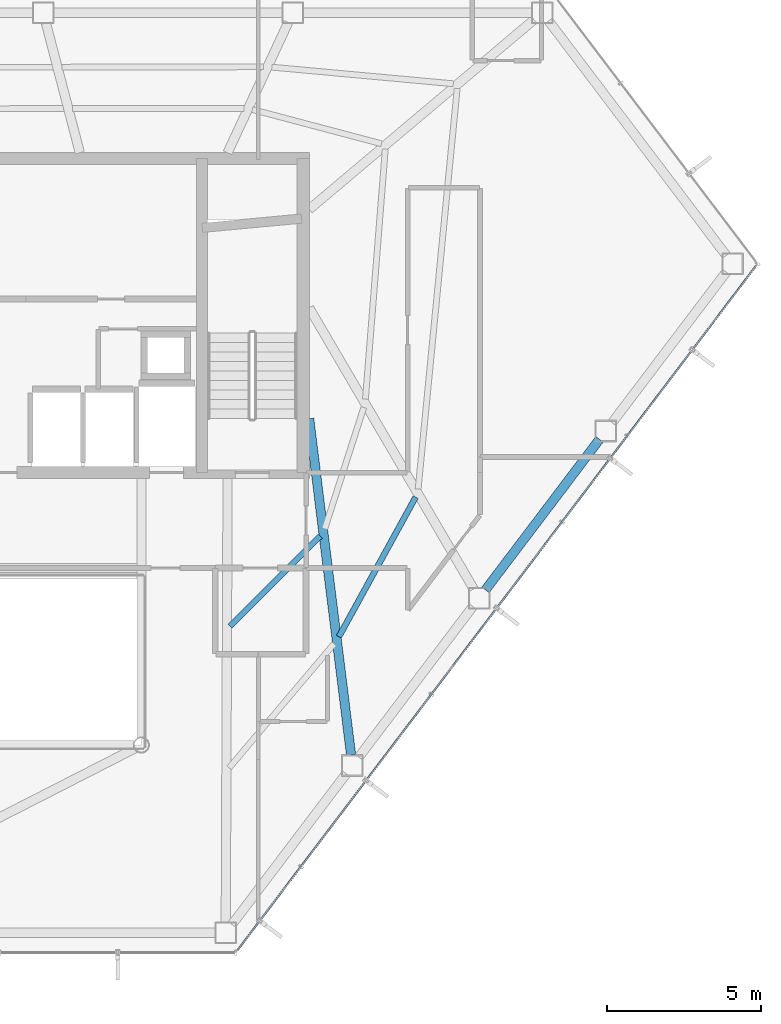
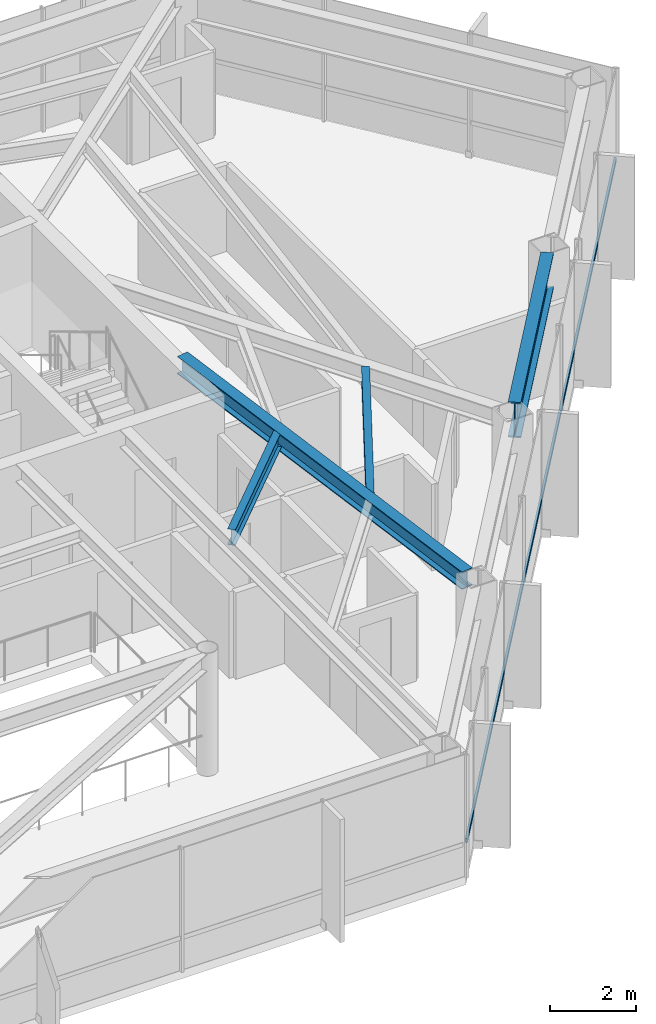
# One storey, part 18 of 28: 4 beams, 1 member, 1 element without a shape of its own.
"""IFC4 building model written with IfcOpenShell, lengths in metres."""

from ifc_helpers import new_model, si_unit, direction, frame, origin, origin_2d, place, context, subcontext, project, spatial, hollow_rectangle, i_section, extrude, material, layer, layer_set, material_profile, profile_set, type_object, element, aggregate, save


model = new_model("IFC4")

# Units and contexts
model_context = context("Model", 3, precision=1e-05, world=origin(), true_north=direction((0.0, 1.0)))
body_context = subcontext(model_context, "Body", "Model", "MODEL_VIEW")
ifc_project = project(units=[si_unit("LENGTHUNIT", "METRE"), si_unit("AREAUNIT", "SQUARE_METRE"), si_unit("VOLUMEUNIT", "CUBIC_METRE"), si_unit("PLANEANGLEUNIT", "RADIAN"), si_unit("MASSUNIT", "GRAM", prefix="KILO")], contexts=[model_context])

# Site, building, storey
site_placement = place(None, origin())
site = spatial("IfcSite", under=ifc_project, at=site_placement, CompositionType="ELEMENT")
building_placement = place(site_placement, origin())
building = spatial("IfcBuilding", under=site, at=building_placement, Name="Zarrinselat Tower", CompositionType="ELEMENT")
storey_placement = place(building_placement, frame((0.0, 0.0, 168.300048828125)))
storey = spatial("IfcBuildingStorey", under=building, at=storey_placement, Name="L41", CompositionType="ELEMENT", Elevation=168.300048828125)

# Beams
ifc_material_1 = material(Name="Steel S355J2", Category="steel")
ifc_material_profile_1 = material_profile(ifc_material_1, i_section(OverallWidth=0.300048828125, OverallDepth=0.5, WebThickness=0.014404296875, FlangeThickness=0.028076171875, at=origin_2d()), Name="HEB 500")
ifc_profile_set_1 = profile_set([ifc_material_profile_1], Name="Steel S355J2")
beam_type_1 = type_object("IfcBeamType", Name="BM-HEB500", PredefinedType="BEAM", material=ifc_profile_set_1)
beam_1_placement = place(storey_placement, frame((48.449951171875, 35.0, 3.25), z_axis=(0.123764281602, -0.992311645905, 0.0), x_axis=(0.992311645905, 0.123764281602, 0.0)))
element("IfcBeam", 1, at=beam_1_placement, inside=storey, type_object=beam_type_1, Name="L41 Radial Primary Girder RG12", PredefinedType="BEAM", context=body_context, shape_type="SweptSolid", body=[
    extrude(i_section(OverallWidth=0.300048828125, OverallDepth=0.5, WebThickness=0.014404296875, FlangeThickness=0.028076171875, at=origin_2d()), origin(), (0.0, 0.0, 1.0), 10.999267578125),
])
ifc_material_2 = material(Name="Steel S460M", Category="steel")
ifc_material_profile_2 = material_profile(ifc_material_2, i_section(OverallWidth=0.302001953125, OverallDepth=1.008056640625, WebThickness=0.02099609375, FlangeThickness=0.0400390625, at=origin_2d()), Name="HEM 1000")
ifc_profile_set_2 = profile_set([ifc_material_profile_2], Name="Steel S460M")
beam_type_2 = type_object("IfcBeamType", Name="BM-HEM1000", PredefinedType="BEAM", material=ifc_profile_set_2)
beam_2_placement = place(storey_placement, frame((54.1748046875, 29.43798828125, 2.995849609375), z_axis=(0.603842375532, 0.797103748274, 0.0), x_axis=(-0.797103748274, 0.603842375532, 0.0)))
element("IfcBeam", 2, at=beam_2_placement, inside=storey, type_object=beam_type_2, Name="L41 Perimeter Spandrel Girder SP13", PredefinedType="BEAM", context=body_context, shape_type="SweptSolid", body=[
    extrude(i_section(OverallWidth=0.302001953125, OverallDepth=1.008056640625, WebThickness=0.02099609375, FlangeThickness=0.0400390625, at=origin_2d()), origin(), (0.0, 0.0, 1.0), 6.139404296875),
])
ifc_material_3 = material(Name="Steel S355J2", Category="steel")
ifc_material_profile_3 = material_profile(ifc_material_3, i_section(OverallWidth=0.18994140625, OverallDepth=0.449951171875, WebThickness=0.009521484375, FlangeThickness=0.0146484375, at=origin_2d()), Name="IPE 450")
ifc_profile_set_3 = profile_set([ifc_material_profile_3], Name="Steel S355J2")
beam_type_3 = type_object("IfcBeamType", Name="BM-IPE450", PredefinedType="JOIST", material=ifc_profile_set_3)
beam_3_placement = place(storey_placement, frame((45.87890625, 28.26123046875, 3.27490234375), z_axis=(0.707813004659, 0.706399851667, 0.0), x_axis=(-0.706399851667, 0.707813004659, 0.0)))
element("IfcBeam", 3, at=beam_3_placement, inside=storey, type_object=beam_type_3, Name="L41 Composite Floor Joist 3-2", PredefinedType="JOIST", context=body_context, shape_type="SweptSolid", body=[
    extrude(i_section(OverallWidth=0.18994140625, OverallDepth=0.449951171875, WebThickness=0.009521484375, FlangeThickness=0.0146484375, at=origin_2d()), origin(), (0.0, 0.0, 1.0), 4.146240234375),
])
beam_4_placement = place(storey_placement, frame((49.416015625, 27.9189453125, 3.27490234375), z_axis=(0.48177202173, 0.8762965931, 0.0), x_axis=(-0.8762965931, 0.48177202173, 0.0)))
element("IfcBeam", 4, at=beam_4_placement, inside=storey, type_object=beam_type_3, Name="L41 Composite Floor Joist 4-1", PredefinedType="JOIST", context=body_context, shape_type="SweptSolid", body=[
    extrude(i_section(OverallWidth=0.18994140625, OverallDepth=0.449951171875, WebThickness=0.009521484375, FlangeThickness=0.0146484375, at=origin_2d()), origin(), (0.0, 0.0, 1.0), 5.174072265625),
])

# Curtain wall, member
ifc_material_4 = material(Name="Extruded Aluminium Alloy EN AW-6063 T6", Category="aluminium")
ifc_layer = layer(ifc_material_4, 0.175048828125)
ifc_layer_set = layer_set([ifc_layer], Name="Extruded Aluminium Alloy EN AW-6063 T6")
curtain_wall_type = type_object("IfcCurtainWallType", Name="CWS-HTL", PredefinedType="NOTDEFINED", material=ifc_layer_set)
curtain_wall_placement = place(storey_placement, origin())
curtain_wall = element("IfcCurtainWall", 5, at=curtain_wall_placement, inside=storey, type_object=curtain_wall_type, Name="L41 Unitised Curtain Wall CW-L41-E05", PredefinedType="NOTDEFINED")
ifc_material_5 = material(Name="Extruded Aluminium Alloy EN AW-6063 T6", Category="aluminium")
ifc_material_profile_4 = material_profile(ifc_material_5, hollow_rectangle(XDim=0.06005859375, YDim=0.1201171875, WallThickness=0.00390625, at=origin_2d()), Name="RHS 120x60x4")
ifc_profile_set_4 = profile_set([ifc_material_profile_4], Name="Extruded Aluminium Alloy EN AW-6063 T6")
member_type = type_object("IfcMemberType", Name="MEM-CW-TRN2", PredefinedType="USERDEFINED", material=ifc_profile_set_4)
member_placement = place(storey_placement, frame((46.11669921875, 17.72509765625, 0.949951171875), z_axis=(0.603860383856, 0.797090105828, 0.0), x_axis=(-0.797090105828, 0.603860383856, 0.0)))
member = element("IfcMember", 6, at=member_placement, type_object=member_type, Name="CW-L41-E05 Transom 1", ObjectType="TRANSOM", PredefinedType="USERDEFINED", context=body_context, shape_type="SweptSolid", body=[
    extrude(hollow_rectangle(XDim=0.06005859375, YDim=0.1201171875, WallThickness=0.00390625, at=origin_2d()), origin(), (0.0, 0.0, 1.0), 27.8974609375),
])
aggregate(curtain_wall, [member])

save(model, "model.ifc")
